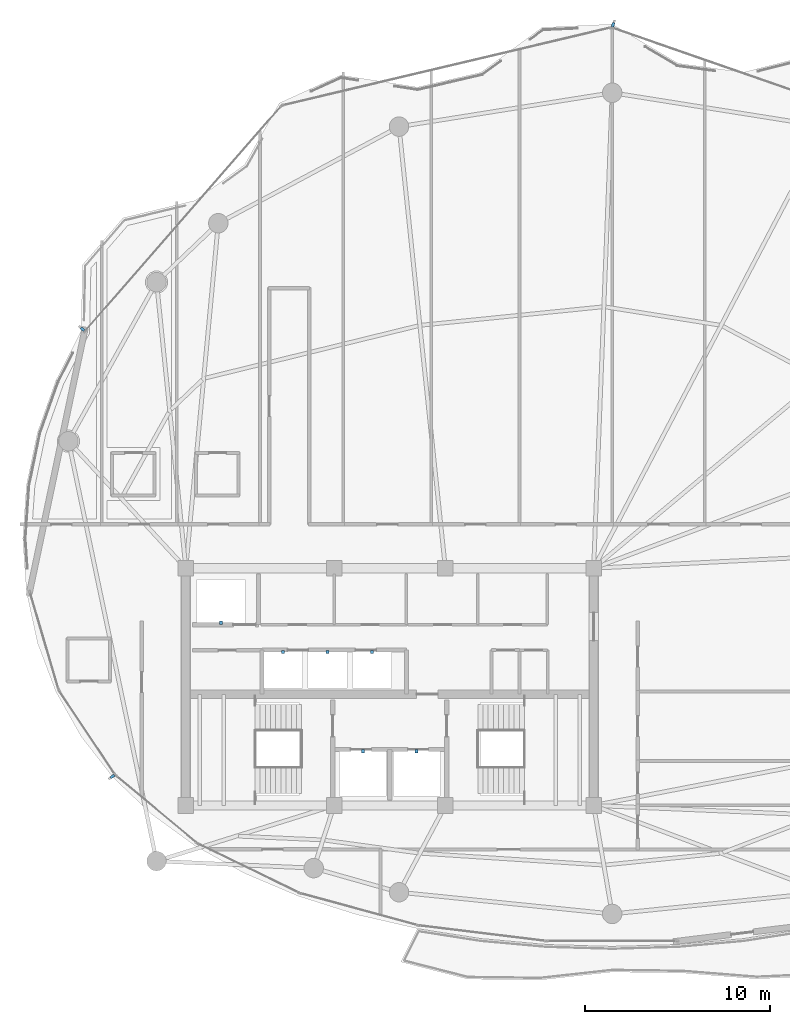
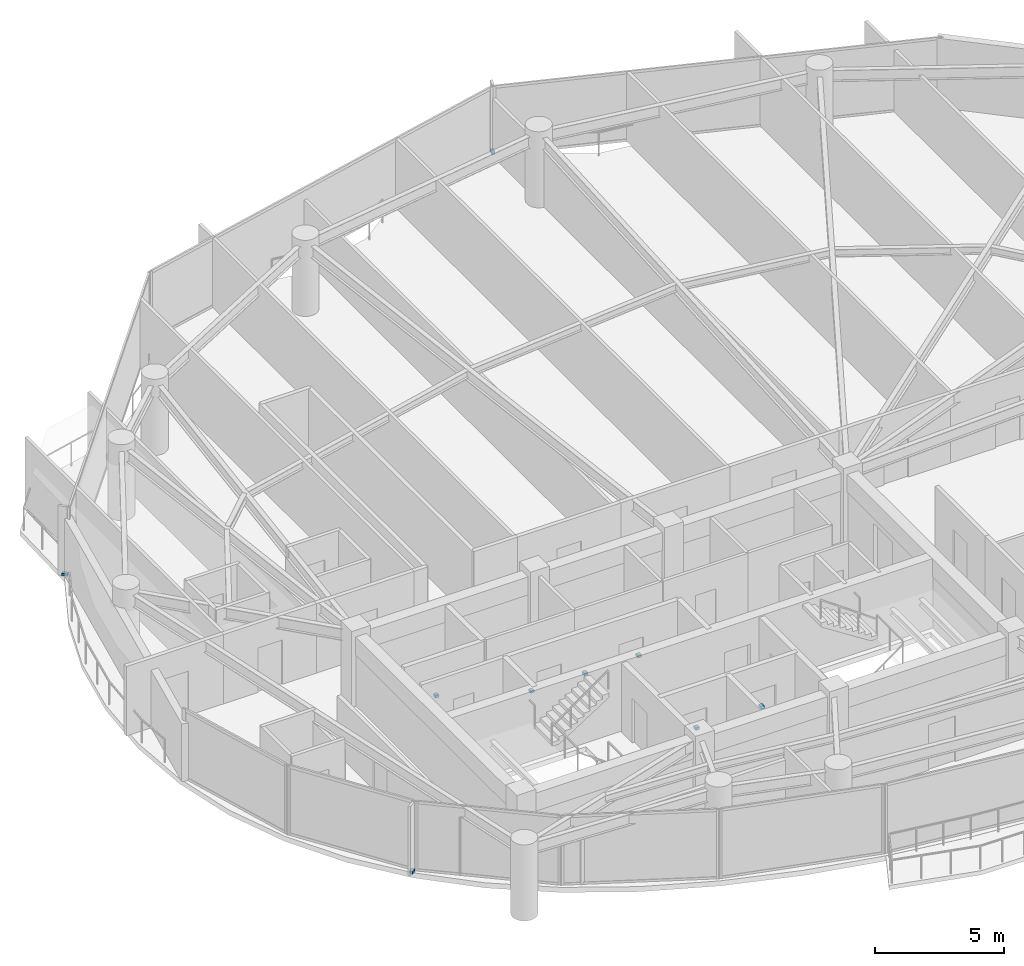
# One storey, part 26 of 29: 9 discrete accessories.
"""IFC4 building model written with IfcOpenShell, lengths in metres."""

from ifc_helpers import new_model, si_unit, direction, frame, origin, origin_2d, place, context, subcontext, project, spatial, rectangle, extrude, material, type_object, element, save


model = new_model("IFC4")

# Units and contexts
model_context = context("Model", 3, precision=1e-05, world=origin(), true_north=direction((0.0, 1.0)))
body_context = subcontext(model_context, "Body", "Model", "MODEL_VIEW")
ifc_project = project(units=[si_unit("LENGTHUNIT", "METRE"), si_unit("AREAUNIT", "SQUARE_METRE"), si_unit("VOLUMEUNIT", "CUBIC_METRE"), si_unit("PLANEANGLEUNIT", "RADIAN"), si_unit("MASSUNIT", "GRAM", prefix="KILO")], contexts=[model_context])

# Site, building, storey
site_placement = place(None, origin())
site = spatial("IfcSite", under=ifc_project, at=site_placement, CompositionType="ELEMENT")
building_placement = place(site_placement, origin())
building = spatial("IfcBuilding", under=site, at=building_placement, Name="Kazevale Care Tower and Concert Hall", CompositionType="ELEMENT")
storey_placement = place(building_placement, frame((0.0, 0.0, 249.60009765625)))
storey = spatial("IfcBuildingStorey", under=building, at=storey_placement, Name="L66", CompositionType="ELEMENT", Elevation=249.60009765625)

# Discrete accessories
ifc_material = material(Name="Stainless Steel 316", Category="steel")
discrete_accessory_type_1 = type_object("IfcDiscreteAccessoryType", Name="Facade Fin Stainless Anchor Bracket BRK-1", PredefinedType="BRACKET", material=ifc_material)
for number, where, z_axis, x_axis, name in (
    (1, (18.04443359375, 25.1689453125, -0.000244140625), (0.0, 0.0, 1.0), (-0.832147748683, -0.554553986878, 0.0), "cw:L66:f11:brk"),
    (2, (16.42626953125, 49.291015625, -0.000244140625), (0.0, 0.0, 1.0), (-0.753792813636, 0.657112162503, 0.0), "cw:L66:f14:brk"),
    (3, (45.047607421875, 65.71533203125, -0.000244140625), (0.0, 0.0, 1.0), (0.328536977169, 0.944491108816, 0.0), "cw:L66:f16:brk"),
):
    element("IfcDiscreteAccessory", number, at=place(storey_placement, frame(where, z_axis=z_axis, x_axis=x_axis)), inside=storey, type_object=discrete_accessory_type_1, Name=name, PredefinedType="BRACKET", context=body_context, shape_type="SweptSolid", body=[
        extrude(rectangle(XDim=0.239990234375, YDim=0.139892578125, at=origin_2d()), origin(), (0.0, 0.0, 1.0), 0.1201171875),
    ])
discrete_accessory_type_2 = type_object("IfcDiscreteAccessoryType", Name="Hoistway Guide-Rail Wall Bracket HBRK-1", PredefinedType="BRACKET", material=ifc_material)
for number, where, z_axis, x_axis, name in (
    (4, (31.550048828125, 26.52001953125, 1.23974609375), (0.0, 0.0, 1.0), (1.0, 0.0, 0.0), "hbrk:FFL-1:L66"),
    (5, (34.449951171875, 26.52001953125, 1.23974609375), (0.0, 0.0, 1.0), (1.0, 0.0, 0.0), "hbrk:FFL-2:L66"),
    (6, (23.89990234375, 33.449951171875, 1.23974609375), (0.0, 0.0, 1.0), (1.0, 0.0, 0.0), "hbrk:SVL-1:L66"),
    (7, (27.25, 31.8798828125, 1.23974609375), (0.0, 0.0, 1.0), (1.0, 0.0, 0.0), "hbrk:PH-1:L66"),
    (8, (29.64990234375, 31.8798828125, 1.23974609375), (0.0, 0.0, 1.0), (1.0, 0.0, 0.0), "hbrk:PH-2:L66"),
    (9, (32.050048828125, 31.8798828125, 1.23974609375), (0.0, 0.0, 1.0), (1.0, 0.0, 0.0), "hbrk:PH-3:L66"),
):
    element("IfcDiscreteAccessory", number, at=place(storey_placement, frame(where, z_axis=z_axis, x_axis=x_axis)), inside=storey, type_object=discrete_accessory_type_2, Name=name, PredefinedType="BRACKET", context=body_context, shape_type="SweptSolid", body=[
        extrude(rectangle(XDim=0.159912109375, YDim=0.179931640625, at=origin_2d()), origin(), (0.0, 0.0, 1.0), 0.1201171875),
    ])

save(model, "model.ifc")
